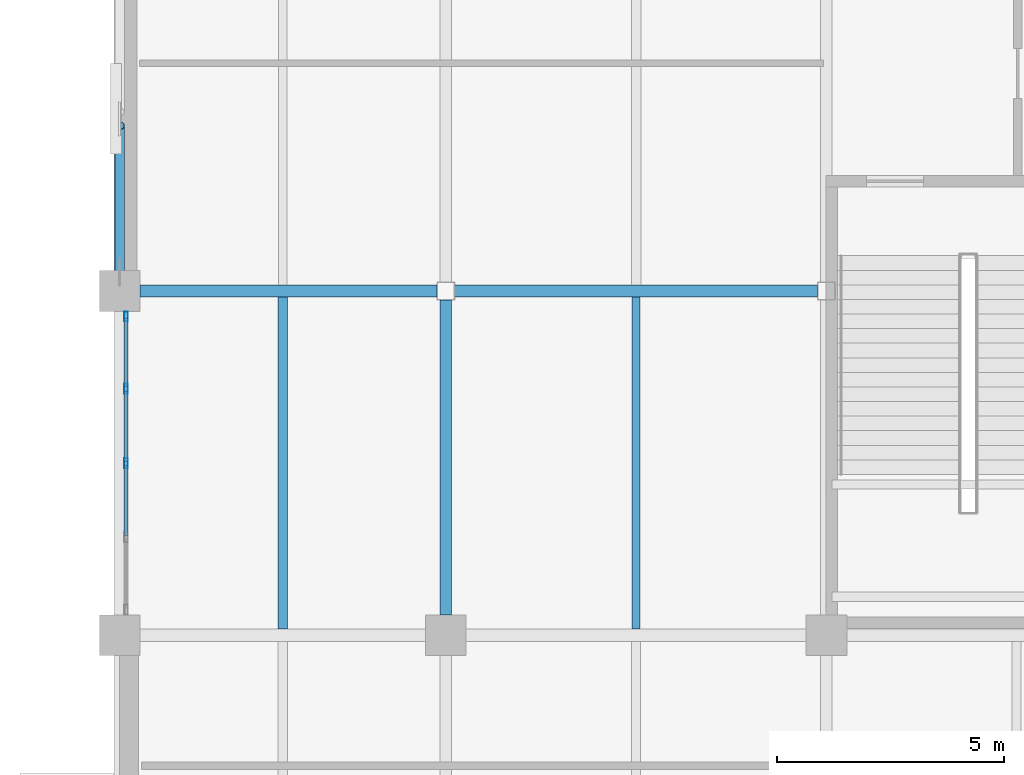
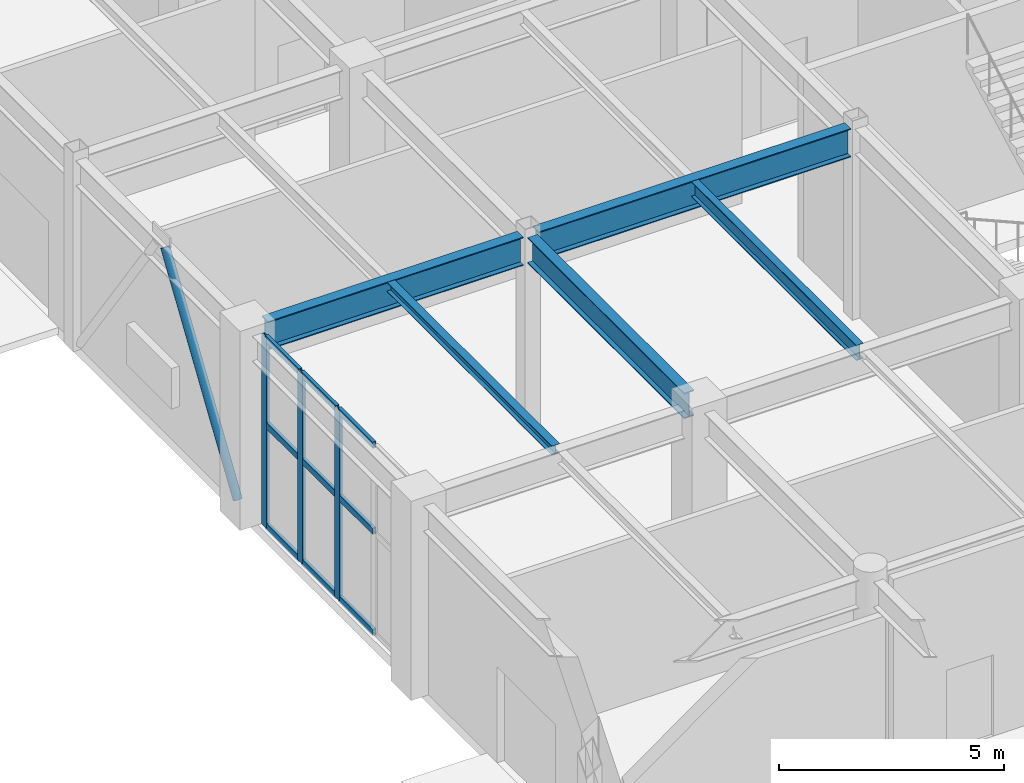
# One storey, part 20 of 139: 13 members, 5 beams, 1 element without a shape of its own.
"""IFC4 building model written with IfcOpenShell, lengths in metres."""

import ifcopenshell
import ifcopenshell.guid

model = None  # the IFC model being written
_history = None  # IfcOwnerHistory: only IFC2X3 demands one
_inside = {}  # id of a spatial element -> (the spatial element, [elements in it])
_under = {}  # id of a project, library or spatial element -> (it, [spatial elements below it])
_declared = {}  # id of a project -> (the project, [libraries it declares])
_typed = {}  # id of a type object -> (the type object, [elements of that type])
_made_of = {}  # id of a material, layer set ... -> (it, [elements and type objects made of it])


def new_model(schema):
    """Start an empty IFC model of exactly this schema.

    Asked for "IFC4X3", IfcOpenShell would pick the latest addendum, in which some entities
    have other attributes; the version numbers below select the first issue.
    IFC2X3 requires an IfcOwnerHistory on every rooted entity: one is made here for all.
    """
    global model, _history
    if schema == "IFC4X3":
        model = ifcopenshell.file(schema_version=(4, 3, 0, 0))
    else:
        model = ifcopenshell.file(schema=schema)
    _inside.clear()
    _under.clear()
    _declared.clear()
    _typed.clear()
    _made_of.clear()
    _history = None
    if model.schema == "IFC2X3":
        org = make("IfcOrganization", Name="unknown")
        user = make(
            "IfcPersonAndOrganization",
            ThePerson=make("IfcPerson", FamilyName="unknown"),
            TheOrganization=org,
        )
        app = make(
            "IfcApplication",
            ApplicationDeveloper=org,
            Version="unknown",
            ApplicationFullName="unknown",
            ApplicationIdentifier="unknown",
        )
        _history = make(
            "IfcOwnerHistory",
            OwningUser=user,
            OwningApplication=app,
            ChangeAction="ADDED",
            CreationDate=0,
        )
    return model


def make(cls, **values):
    """One entity of the class cls with the attributes given. An attribute that is None is left unset."""
    return model.create_entity(
        cls, **{name: value for name, value in values.items() if value is not None}
    )


def rooted(cls, **values):
    """An entity with a GlobalId (a new one), such as an element, a storey or a relation."""
    return make(cls, GlobalId=ifcopenshell.guid.new(), OwnerHistory=_history, **values)


def si_unit(unit_type, name, prefix=None):
    """IfcSIUnit, for example si_unit("LENGTHUNIT", "METRE", prefix="MILLI")."""
    return make("IfcSIUnit", UnitType=unit_type, Prefix=prefix, Name=name)


def assignment(units):
    """IfcUnitAssignment: the units of a project."""
    return None if units is None else make("IfcUnitAssignment", Units=units)


def point(xyz):
    """IfcCartesianPoint."""
    return None if xyz is None else make("IfcCartesianPoint", Coordinates=xyz)


def direction(xyz):
    """IfcDirection."""
    return None if xyz is None else make("IfcDirection", DirectionRatios=xyz)


def frame(location, z_axis=None, x_axis=None):
    """IfcAxis2Placement3D, a coordinate frame: its origin and axes. An axis left out is left unset."""
    return make(
        "IfcAxis2Placement3D",
        Location=point(location),
        Axis=direction(z_axis),
        RefDirection=direction(x_axis),
    )


def frame_2d(location, x_axis=None):
    """IfcAxis2Placement2D, a coordinate frame in the plane: its origin and x axis."""
    return make(
        "IfcAxis2Placement2D", Location=point(location), RefDirection=direction(x_axis)
    )


def origin():
    """The frame at (0, 0, 0) with its axes left unset."""
    return frame((0.0, 0.0, 0.0))


def origin_2d():
    """The frame at (0, 0) in the plane with its x axis left unset."""
    return frame_2d((0.0, 0.0))


def place(relative_to, where):
    """IfcLocalPlacement: puts the frame where relative to a parent placement (None: the world)."""
    return make(
        "IfcLocalPlacement", PlacementRelTo=relative_to, RelativePlacement=where
    )


def context(
    kind, dimensions, precision=None, world=None, true_north=None, identifier=None
):
    """IfcGeometricRepresentationContext, for example the 3D "Model" context."""
    return make(
        "IfcGeometricRepresentationContext",
        ContextIdentifier=identifier,
        ContextType=kind,
        CoordinateSpaceDimension=dimensions,
        Precision=precision,
        WorldCoordinateSystem=world,
        TrueNorth=true_north,
    )


def subcontext(parent, identifier, kind, view, scale=None):
    """IfcGeometricRepresentationSubContext, for example "Body" below "Model"."""
    return make(
        "IfcGeometricRepresentationSubContext",
        ContextIdentifier=identifier,
        ContextType=kind,
        ParentContext=parent,
        TargetScale=scale,
        TargetView=view,
    )


def project(units=None, contexts=None):
    """IfcProject with its units and contexts."""
    return rooted(
        "IfcProject",
        Name="project",
        RepresentationContexts=contexts,
        UnitsInContext=assignment(units),
    )


def spatial(cls, under=None, at=None, **own):
    """A site, building, storey or space (cls), placed at a placement, below another one or the project."""
    s = rooted(cls, ObjectPlacement=at, **own)
    if under is not None:
        _under.setdefault(under.id(), (under, []))[1].append(s)
    return s


def profile(cls, at=None, kind="AREA", **sizes):
    """A parametric profile (cls). Its sizes go by their IFC names, for example OverallWidth=200.0."""
    return make(cls, ProfileType=kind, Position=at, **sizes)


def hollow_rectangle(**sizes):
    """IfcRectangleHollowProfileDef."""
    return profile("IfcRectangleHollowProfileDef", **sizes)


def hollow_circle(**sizes):
    """IfcCircleHollowProfileDef."""
    return profile("IfcCircleHollowProfileDef", **sizes)


def i_section(**sizes):
    """IfcIShapeProfileDef."""
    return profile("IfcIShapeProfileDef", **sizes)


def extrude(swept, where, along, depth):
    """IfcExtrudedAreaSolid: the profile swept, set in the frame where, extruded along a direction by depth."""
    return make(
        "IfcExtrudedAreaSolid",
        SweptArea=swept,
        Position=where,
        ExtrudedDirection=direction(along),
        Depth=depth,
    )


def shape(context_of_items, identifier, shape_type, items):
    """IfcShapeRepresentation: the items that make up one representation, for example the "Body"."""
    return make(
        "IfcShapeRepresentation",
        ContextOfItems=context_of_items,
        RepresentationIdentifier=identifier,
        RepresentationType=shape_type,
        Items=items,
    )


def material(Name=None, Category=None):
    """IfcMaterial."""
    return make("IfcMaterial", Name=Name, Category=Category)


def layer(
    of_material, thickness, ventilated=None, Name=None, Category=None, Priority=None
):
    """IfcMaterialLayer: one layer of a wall or slab, of a material (None: an air gap)."""
    return make(
        "IfcMaterialLayer",
        Material=of_material,
        LayerThickness=thickness,
        IsVentilated=ventilated,
        Name=Name,
        Category=Category,
        Priority=Priority,
    )


def layer_set(layers, Name=None):
    """IfcMaterialLayerSet."""
    return make("IfcMaterialLayerSet", MaterialLayers=layers, LayerSetName=Name)


def material_profile(
    of_material, cross_section, Name=None, Category=None, Priority=None
):
    """IfcMaterialProfile: a cross section and its material."""
    return make(
        "IfcMaterialProfile",
        Name=Name,
        Material=of_material,
        Profile=cross_section,
        Priority=Priority,
        Category=Category,
    )


def profile_set(profiles, Name=None, composite=None):
    """IfcMaterialProfileSet."""
    return make(
        "IfcMaterialProfileSet",
        Name=Name,
        MaterialProfiles=profiles,
        CompositeProfile=composite,
    )


def made_of(thing, what):
    """Note that an element or type object is made of a material, layer set ...; save() writes the relation."""
    if what is not None:
        _made_of.setdefault(what.id(), (what, []))[1].append(thing)
    return thing


def type_object(cls, material=None, **own):
    """A type object (cls), such as IfcWallType, which elements share."""
    return made_of(rooted(cls, **own), material)


def element(
    cls,
    number,
    at=None,
    inside=None,
    cuts=None,
    type_object=None,
    material=None,
    context=None,
    identifier="Body",
    shape_type=None,
    held_by="IfcProductDefinitionShape",
    body=None,
    shapes=None,
    **own,
):
    """One element of the class cls, such as IfcWall. Its Tag is "e" and its number.

    at: its placement. inside: the storey or other place that contains it. cuts: it is an
    opening in that element (IfcRelVoidsElement). A single representation is given by context,
    identifier, shape_type and body (its items); several are given by shapes. held_by: the class
    of the entity that holds the representations. save() writes the other relations.
    """
    e = rooted(cls, Tag="e%d" % number, ObjectPlacement=at, **own)
    if body is not None:
        shapes = [shape(context, identifier, shape_type, body)]
    if shapes is not None:
        e.Representation = make(held_by, Representations=shapes)
    if inside is not None:
        _inside.setdefault(inside.id(), (inside, []))[1].append(e)
    if cuts is not None:
        rooted(
            "IfcRelVoidsElement", RelatingBuildingElement=cuts, RelatedOpeningElement=e
        )
    if type_object is not None:
        _typed.setdefault(type_object.id(), (type_object, []))[1].append(e)
    return made_of(e, material)


def aggregate(whole, parts):
    """IfcRelAggregates: a whole, such as a stair, and the parts it consists of."""
    return rooted("IfcRelAggregates", RelatingObject=whole, RelatedObjects=parts)


def save(model, path):
    """Write the relations noted so far, then the file.

    IfcRelAggregates (storeys below a building ...), IfcRelContainedInSpatialStructure (elements
    in a storey), IfcRelDefinesByType, IfcRelAssociatesMaterial and IfcRelDeclares: one each for
    every whole, place, type object, material and project.
    """
    for whole, parts in _under.values():
        aggregate(whole, parts)
    for where, things in _inside.values():
        rooted(
            "IfcRelContainedInSpatialStructure",
            RelatedElements=things,
            RelatingStructure=where,
        )
    for kind, things in _typed.values():
        rooted("IfcRelDefinesByType", RelatedObjects=things, RelatingType=kind)
    for what, things in _made_of.values():
        rooted("IfcRelAssociatesMaterial", RelatedObjects=things, RelatingMaterial=what)
    for by, libraries in _declared.values():
        rooted("IfcRelDeclares", RelatingContext=by, RelatedDefinitions=libraries)
    model.write(path)


model = new_model("IFC4")

# Units and contexts
model_context = context("Model", 3, precision=1e-05, world=origin(), true_north=direction((0.0, 1.0)))
body_context = subcontext(model_context, "Body", "Model", "MODEL_VIEW")
ifc_project = project(units=[si_unit("LENGTHUNIT", "METRE"), si_unit("AREAUNIT", "SQUARE_METRE"), si_unit("VOLUMEUNIT", "CUBIC_METRE"), si_unit("PLANEANGLEUNIT", "RADIAN"), si_unit("MASSUNIT", "GRAM", prefix="KILO")], contexts=[model_context])

# Site, building, storey
site_placement = place(None, origin())
site = spatial("IfcSite", under=ifc_project, at=site_placement, CompositionType="ELEMENT")
building_placement = place(site_placement, origin())
building = spatial("IfcBuilding", under=site, at=building_placement, Name="Xicomal Pleat Aquarium", CompositionType="ELEMENT")
storey_placement = place(building_placement, origin())
storey = spatial("IfcBuildingStorey", under=building, at=storey_placement, Name="L01", CompositionType="ELEMENT", Elevation=0.0)

# Beams
ifc_material_1 = material(Name="Structural steel A992 Gr 50", Category="steel")
ifc_material_profile_1 = material_profile(ifc_material_1, i_section(OverallWidth=0.201904296875, OverallDepth=0.2470703125, WebThickness=0.00732421875, FlangeThickness=0.010986328125, at=origin_2d()), Name="IR 250x49")
ifc_profile_set_1 = profile_set([ifc_material_profile_1], Name="Structural steel A992 Gr 50")
beam_type_1 = type_object("IfcBeamType", Name="BM-STL-IR250", PredefinedType="JOIST", material=ifc_profile_set_1)
beam_1_placement = place(storey_placement, frame((6.60009765625, 45.737060546875, 5.03662109375), z_axis=(0.0, 1.0, 0.0), x_axis=(-1.0, 0.0, 0.0)))
element("IfcBeam", 1, at=beam_1_placement, inside=storey, type_object=beam_type_1, Name="L01 framing beam FBJ-L01-01-G-1", PredefinedType="JOIST", context=body_context, shape_type="SweptSolid", body=[
    extrude(i_section(OverallWidth=0.201904296875, OverallDepth=0.2470703125, WebThickness=0.00732421875, FlangeThickness=0.010986328125, at=origin_2d()), origin(), (0.0, 0.0, 1.0), 7.325927734375),
])
ifc_material_2 = material(Name="Structural steel A992 Gr 50", Category="steel")
ifc_material_profile_2 = material_profile(ifc_material_2, i_section(OverallWidth=0.180908203125, OverallDepth=0.4169921875, WebThickness=0.010986328125, FlangeThickness=0.018310546875, at=origin_2d()), Name="IR 410x85")
ifc_profile_set_2 = profile_set([ifc_material_profile_2], Name="Structural steel A992 Gr 50")
beam_type_2 = type_object("IfcBeamType", Name="BM-STL-IR410", PredefinedType="JOIST", material=ifc_profile_set_2)
beam_2_placement = place(storey_placement, frame((14.39990234375, 45.737060546875, 4.951416015625), z_axis=(0.0, 1.0, 0.0), x_axis=(-1.0, 0.0, 0.0)))
element("IfcBeam", 2, at=beam_2_placement, inside=storey, type_object=beam_type_2, Name="L01 framing beam FBJ-L01-02-G-1", PredefinedType="JOIST", context=body_context, shape_type="SweptSolid", body=[
    extrude(i_section(OverallWidth=0.180908203125, OverallDepth=0.4169921875, WebThickness=0.010986328125, FlangeThickness=0.018310546875, at=origin_2d()), origin(), (0.0, 0.0, 1.0), 7.325927734375),
])
ifc_material_3 = material(Name="Structural steel A992 Gr 50", Category="steel")
ifc_material_profile_3 = material_profile(ifc_material_3, i_section(OverallWidth=0.256103515625, OverallDepth=0.693115234375, WebThickness=0.014404296875, FlangeThickness=0.023681640625, at=origin_2d()), Name="IR 690x170")
ifc_profile_set_3 = profile_set([ifc_material_profile_3], Name="Structural steel A992 Gr 50")
beam_type_3 = type_object("IfcBeamType", Name="BM-STL-IR690", PredefinedType="BEAM", material=ifc_profile_set_3)
beam_3_placement = place(storey_placement, frame((10.199951171875, 46.044921875, 4.8134765625), z_axis=(0.0, 1.0, 0.0), x_axis=(-1.0, 0.0, 0.0)))
element("IfcBeam", 3, at=beam_3_placement, inside=storey, type_object=beam_type_3, Name="L01 framing beam FGY-L01-02-G-H", PredefinedType="BEAM", context=body_context, shape_type="SweptSolid", body=[
    extrude(i_section(OverallWidth=0.256103515625, OverallDepth=0.693115234375, WebThickness=0.014404296875, FlangeThickness=0.023681640625, at=origin_2d()), origin(), (0.0, 0.0, 1.0), 6.9599609375),
])
ifc_material_4 = material(Name="Structural steel A992 Gr 50", Category="steel")
ifc_material_profile_4 = material_profile(ifc_material_4, i_section(OverallWidth=0.26806640625, OverallDepth=0.77001953125, WebThickness=0.015625, FlangeThickness=0.025390625, at=origin_2d()), Name="IR 760x196")
ifc_profile_set_4 = profile_set([ifc_material_profile_4], Name="Structural steel A992 Gr 50")
beam_type_4 = type_object("IfcBeamType", Name="BM-STL-IR760", PredefinedType="BEAM", material=ifc_profile_set_4)
beam_4_placement = place(storey_placement, frame((3.445068359375, 53.199951171875, 4.77490234375), z_axis=(1.0, 0.0, 0.0), x_axis=(0.0, 1.0, 0.0)))
element("IfcBeam", 4, at=beam_4_placement, inside=storey, type_object=beam_type_4, Name="L01 framing beam FGX-L01-01-02-H", PredefinedType="BEAM", context=body_context, shape_type="SweptSolid", body=[
    extrude(i_section(OverallWidth=0.26806640625, OverallDepth=0.77001953125, WebThickness=0.015625, FlangeThickness=0.025390625, at=origin_2d()), origin(), (0.0, 0.0, 1.0), 6.559814453125),
])
beam_5_placement = place(storey_placement, frame((10.39501953125, 53.199951171875, 4.77490234375), z_axis=(1.0, 0.0, 0.0), x_axis=(0.0, 1.0, 0.0)))
element("IfcBeam", 5, at=beam_5_placement, inside=storey, type_object=beam_type_4, Name="L01 framing beam FGX-L01-02-03-H", PredefinedType="BEAM", context=body_context, shape_type="SweptSolid", body=[
    extrude(i_section(OverallWidth=0.26806640625, OverallDepth=0.77001953125, WebThickness=0.015625, FlangeThickness=0.025390625, at=origin_2d()), origin(), (0.0, 0.0, 1.0), 8.010009765625),
])

# Curtain wall, members
ifc_material_5 = material(Name="Bronze anodized aluminium 6063-T6", Category="aluminium")
ifc_layer = layer(ifc_material_5, 0.159912109375)
ifc_layer_set = layer_set([ifc_layer], Name="Bronze anodized aluminium 6063-T6")
curtain_wall_type = type_object("IfcCurtainWallType", Name="CW-SYS-11", PredefinedType="NOTDEFINED", material=ifc_layer_set)
curtain_wall_placement = place(storey_placement, origin())
curtain_wall = element("IfcCurtainWall", 6, at=curtain_wall_placement, inside=storey, type_object=curtain_wall_type, Name="L01 unitised curtain wall CW-L01-008", PredefinedType="NOTDEFINED")
ifc_material_6 = material(Name="Bronze anodized aluminium 6063-T6", Category="aluminium")
ifc_material_profile_5 = material_profile(ifc_material_6, hollow_rectangle(XDim=0.0849609375, YDim=0.219970703125, WallThickness=0.0048828125, at=origin_2d()), Name="ALU MULL 85x220")
ifc_profile_set_5 = profile_set([ifc_material_profile_5], Name="Bronze anodized aluminium 6063-T6")
member_type_1 = type_object("IfcMemberType", Name="CWM-85x220", PredefinedType="MULLION", material=ifc_profile_set_5)
member_1_placement = place(storey_placement, frame((3.139892578125, 49.39990234375, 0.0), z_axis=(0.0, 0.0, 1.0), x_axis=(-1.0, 0.0, 0.0)))
member_1 = element("IfcMember", 7, at=member_1_placement, type_object=member_type_1, Name="CW-11 mullion 3", PredefinedType="MULLION", context=body_context, shape_type="SweptSolid", body=[
    extrude(hollow_rectangle(XDim=0.0849609375, YDim=0.219970703125, WallThickness=0.0048828125, at=origin_2d()), origin(), (0.0, 0.0, 1.0), 5.159912109375),
])
member_2_placement = place(storey_placement, frame((3.139892578125, 51.0400390625, 0.0), z_axis=(0.0, 0.0, 1.0), x_axis=(-1.0, 0.0, 0.0)))
member_2 = element("IfcMember", 8, at=member_2_placement, type_object=member_type_1, Name="CW-11 mullion 4", PredefinedType="MULLION", context=body_context, shape_type="SweptSolid", body=[
    extrude(hollow_rectangle(XDim=0.0849609375, YDim=0.219970703125, WallThickness=0.0048828125, at=origin_2d()), origin(), (0.0, 0.0, 1.0), 5.159912109375),
])
member_3_placement = place(storey_placement, frame((3.139892578125, 52.637451171875, 0.0), z_axis=(0.0, 0.0, 1.0), x_axis=(-1.0, 0.0, 0.0)))
member_3 = element("IfcMember", 9, at=member_3_placement, type_object=member_type_1, Name="CW-11 mullion 5", PredefinedType="MULLION", context=body_context, shape_type="SweptSolid", body=[
    extrude(hollow_rectangle(XDim=0.0849609375, YDim=0.219970703125, WallThickness=0.0048828125, at=origin_2d()), origin(), (0.0, 0.0, 1.0), 5.159912109375),
])
ifc_material_7 = material(Name="Bronze anodized aluminium 6063-T6", Category="aluminium")
ifc_material_profile_6 = material_profile(ifc_material_7, hollow_rectangle(XDim=0.0849609375, YDim=0.169921875, WallThickness=0.0048828125, at=origin_2d()), Name="ALU TRAN 85x170")
ifc_profile_set_6 = profile_set([ifc_material_profile_6], Name="Bronze anodized aluminium 6063-T6")
member_type_2 = type_object("IfcMemberType", Name="CWT-85x170", PredefinedType="USERDEFINED", material=ifc_profile_set_6)
member_4_placement = place(storey_placement, frame((3.139892578125, 47.802490234375, 0.04248046875), z_axis=(0.0, 1.0, 0.0), x_axis=(-1.0, 0.0, 0.0)))
member_4 = element("IfcMember", 10, at=member_4_placement, type_object=member_type_2, Name="CW-11 transom 2.1", ObjectType="TRANSOM", PredefinedType="USERDEFINED", context=body_context, shape_type="SweptSolid", body=[
    extrude(hollow_rectangle(XDim=0.0849609375, YDim=0.169921875, WallThickness=0.0048828125, at=origin_2d()), origin(), (0.0, 0.0, 1.0), 1.554931640625),
])
member_5_placement = place(storey_placement, frame((3.139892578125, 47.802490234375, 2.785888671875), z_axis=(0.0, 1.0, 0.0), x_axis=(-1.0, 0.0, 0.0)))
member_5 = element("IfcMember", 11, at=member_5_placement, type_object=member_type_2, Name="CW-11 transom 2.2", ObjectType="TRANSOM", PredefinedType="USERDEFINED", context=body_context, shape_type="SweptSolid", body=[
    extrude(hollow_rectangle(XDim=0.0849609375, YDim=0.169921875, WallThickness=0.0048828125, at=origin_2d()), origin(), (0.0, 0.0, 1.0), 1.554931640625),
])
member_6_placement = place(storey_placement, frame((3.139892578125, 47.802490234375, 5.117431640625), z_axis=(0.0, 1.0, 0.0), x_axis=(-1.0, 0.0, 0.0)))
member_6 = element("IfcMember", 12, at=member_6_placement, type_object=member_type_2, Name="CW-11 transom 2.3", ObjectType="TRANSOM", PredefinedType="USERDEFINED", context=body_context, shape_type="SweptSolid", body=[
    extrude(hollow_rectangle(XDim=0.0849609375, YDim=0.169921875, WallThickness=0.0048828125, at=origin_2d()), origin(), (0.0, 0.0, 1.0), 1.554931640625),
])
member_7_placement = place(storey_placement, frame((3.139892578125, 49.4423828125, 0.04248046875), z_axis=(0.0, 1.0, 0.0), x_axis=(-1.0, 0.0, 0.0)))
member_7 = element("IfcMember", 13, at=member_7_placement, type_object=member_type_2, Name="CW-11 transom 3.1", ObjectType="TRANSOM", PredefinedType="USERDEFINED", context=body_context, shape_type="SweptSolid", body=[
    extrude(hollow_rectangle(XDim=0.0849609375, YDim=0.169921875, WallThickness=0.0048828125, at=origin_2d()), origin(), (0.0, 0.0, 1.0), 1.55517578125),
])
member_8_placement = place(storey_placement, frame((3.139892578125, 49.4423828125, 2.785888671875), z_axis=(0.0, 1.0, 0.0), x_axis=(-1.0, 0.0, 0.0)))
member_8 = element("IfcMember", 14, at=member_8_placement, type_object=member_type_2, Name="CW-11 transom 3.2", ObjectType="TRANSOM", PredefinedType="USERDEFINED", context=body_context, shape_type="SweptSolid", body=[
    extrude(hollow_rectangle(XDim=0.0849609375, YDim=0.169921875, WallThickness=0.0048828125, at=origin_2d()), origin(), (0.0, 0.0, 1.0), 1.55517578125),
])
member_9_placement = place(storey_placement, frame((3.139892578125, 49.4423828125, 5.117431640625), z_axis=(0.0, 1.0, 0.0), x_axis=(-1.0, 0.0, 0.0)))
member_9 = element("IfcMember", 15, at=member_9_placement, type_object=member_type_2, Name="CW-11 transom 3.3", ObjectType="TRANSOM", PredefinedType="USERDEFINED", context=body_context, shape_type="SweptSolid", body=[
    extrude(hollow_rectangle(XDim=0.0849609375, YDim=0.169921875, WallThickness=0.0048828125, at=origin_2d()), origin(), (0.0, 0.0, 1.0), 1.55517578125),
])
member_10_placement = place(storey_placement, frame((3.139892578125, 51.08251953125, 0.04248046875), z_axis=(0.0, 1.0, 0.0), x_axis=(-1.0, 0.0, 0.0)))
member_10 = element("IfcMember", 16, at=member_10_placement, type_object=member_type_2, Name="CW-11 transom 4.1", ObjectType="TRANSOM", PredefinedType="USERDEFINED", context=body_context, shape_type="SweptSolid", body=[
    extrude(hollow_rectangle(XDim=0.0849609375, YDim=0.169921875, WallThickness=0.0048828125, at=origin_2d()), origin(), (0.0, 0.0, 1.0), 1.512451171875),
])
member_11_placement = place(storey_placement, frame((3.139892578125, 51.08251953125, 2.785888671875), z_axis=(0.0, 1.0, 0.0), x_axis=(-1.0, 0.0, 0.0)))
member_11 = element("IfcMember", 17, at=member_11_placement, type_object=member_type_2, Name="CW-11 transom 4.2", ObjectType="TRANSOM", PredefinedType="USERDEFINED", context=body_context, shape_type="SweptSolid", body=[
    extrude(hollow_rectangle(XDim=0.0849609375, YDim=0.169921875, WallThickness=0.0048828125, at=origin_2d()), origin(), (0.0, 0.0, 1.0), 1.512451171875),
])
member_12_placement = place(storey_placement, frame((3.139892578125, 51.08251953125, 5.117431640625), z_axis=(0.0, 1.0, 0.0), x_axis=(-1.0, 0.0, 0.0)))
member_12 = element("IfcMember", 18, at=member_12_placement, type_object=member_type_2, Name="CW-11 transom 4.3", ObjectType="TRANSOM", PredefinedType="USERDEFINED", context=body_context, shape_type="SweptSolid", body=[
    extrude(hollow_rectangle(XDim=0.0849609375, YDim=0.169921875, WallThickness=0.0048828125, at=origin_2d()), origin(), (0.0, 0.0, 1.0), 1.512451171875),
])
aggregate(curtain_wall, [member_1, member_2, member_3, member_4, member_5, member_6, member_7, member_8, member_9, member_10, member_11, member_12])

# Member
ifc_material_8 = material(Name="Structural steel A500 Gr C", Category="steel")
ifc_material_profile_7 = material_profile(ifc_material_8, hollow_circle(Radius=0.109619140625, WallThickness=0.011962890625, at=origin_2d()), Name="OC 219x12")
ifc_profile_set_7 = profile_set([ifc_material_profile_7], Name="Structural steel A500 Gr C")
member_type_3 = type_object("IfcMemberType", Name="MEM-BR-OC219", PredefinedType="BRACE", material=ifc_profile_set_7)
member_13_placement = place(storey_placement, frame((3.0, 53.6298828125, 0.14990234375), z_axis=(0.0, 0.549192010878, 0.835696197902), x_axis=(-1.0, 0.0, 0.0)))
element("IfcMember", 19, at=member_13_placement, inside=storey, type_object=member_type_3, Name="L01 chevron brace 7A", PredefinedType="BRACE", context=body_context, shape_type="SweptSolid", body=[
    extrude(hollow_circle(Radius=0.109619140625, WallThickness=0.011962890625, at=origin_2d()), origin(), (0.0, 0.0, 1.0), 5.863525390625),
])

save(model, "model.ifc")
